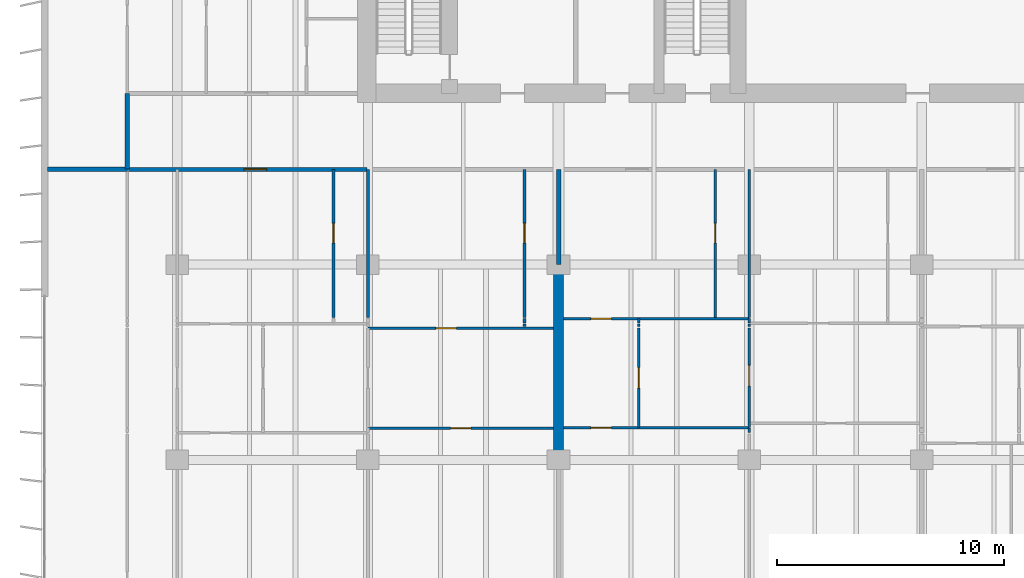
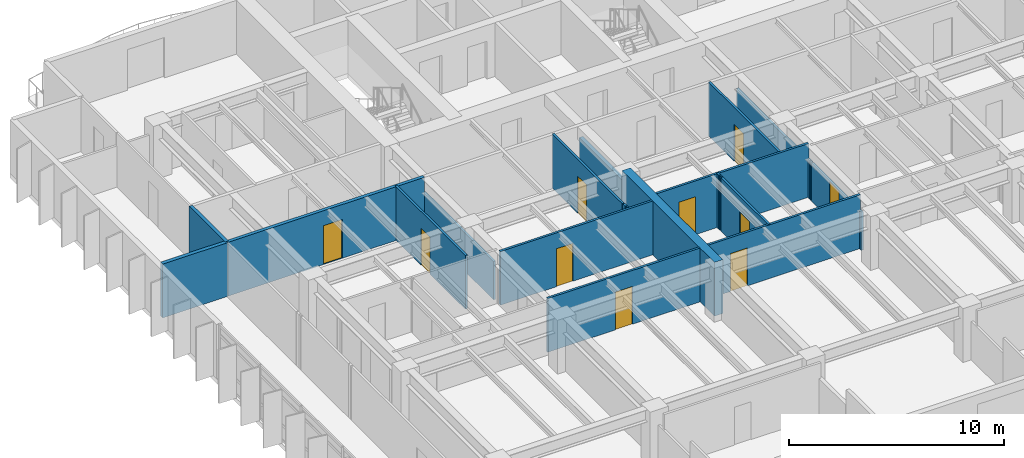
# One storey, part 7 of 19: 23 walls, 10 doors, 10 openings.
"""IFC4 building model written with IfcOpenShell, lengths in metres."""

from ifc_helpers import new_model, si_unit, direction, frame, frame_2d, origin, place, context, subcontext, project, spatial, rectangle, extrude, material, layer, layer_set, type_object, element, fill, save


model = new_model("IFC4")

# Units and contexts
model_context = context("Model", 3, precision=1e-05, world=origin(), true_north=direction((0.0, 1.0)))
body_context = subcontext(model_context, "Body", "Model", "MODEL_VIEW")
ifc_project = project(units=[si_unit("LENGTHUNIT", "METRE"), si_unit("AREAUNIT", "SQUARE_METRE"), si_unit("VOLUMEUNIT", "CUBIC_METRE"), si_unit("PLANEANGLEUNIT", "RADIAN"), si_unit("MASSUNIT", "GRAM", prefix="KILO")], contexts=[model_context])

# Site, building, storey
site_placement = place(None, origin())
site = spatial("IfcSite", under=ifc_project, at=site_placement, CompositionType="ELEMENT")
building_placement = place(site_placement, origin())
building = spatial("IfcBuilding", under=site, at=building_placement, Name="Caelmar Bay Residences", CompositionType="ELEMENT")
storey_placement = place(building_placement, frame((0.0, 0.0, 115.800048828125)))
storey = spatial("IfcBuildingStorey", under=building, at=storey_placement, Name="L31", CompositionType="ELEMENT", Elevation=115.800048828125)

# Walls
ifc_material_1 = material(Name="Concrete f'c 55 MPa (8,000 psi)", Category="concrete")
ifc_layer_1 = layer(ifc_material_1, 0.449951171875)
ifc_layer_set_1 = layer_set([ifc_layer_1], Name="Concrete f'c 55 MPa (8,000 psi)")
wall_type_1 = type_object("IfcWallType", Name="SW-XSLB-450", PredefinedType="SHEAR", material=ifc_layer_set_1)
wall_1_placement = place(storey_placement, frame((26.699951171875, 20.800048828125, 0.0), z_axis=(0.0, 0.0, 1.0), x_axis=(0.0, 1.0, 0.0)))
element("IfcWall", 1, at=wall_1_placement, inside=storey, type_object=wall_type_1, Name="L31 Transverse Cross-Slab Shear Wall W5", PredefinedType="SHEAR", context=body_context, shape_type="SweptSolid", body=[
    extrude(rectangle(XDim=8.599853515625, YDim=0.449951171875, at=frame_2d((4.2998046875, 0.0))), origin(), (0.0, 0.0, 1.0), 3.050048828125),
])
ifc_material_2 = material(Name="Double-stud acoustic fire-rated gypsum partition 180 mm")
ifc_layer_2 = layer(ifc_material_2, 0.179931640625)
ifc_layer_set_2 = layer_set([ifc_layer_2], Name="Double-stud acoustic fire-rated gypsum partition 180 mm")
wall_type_2 = type_object("IfcWallType", Name="W-COR-200", PredefinedType="PARTITIONING", material=ifc_layer_set_2)
wall_2_placement = place(storey_placement, frame((7.699951171875, 33.60498046875, 0.0), z_axis=(0.0, 0.0, 1.0), x_axis=(0.0, 1.0, 0.0)))
element("IfcWall", 2, at=wall_2_placement, inside=storey, type_object=wall_type_2, Name="L31 Partition Wall V007", PredefinedType="PARTITIONING", context=body_context, shape_type="SweptSolid", body=[
    extrude(rectangle(XDim=3.344970703125, YDim=0.179931640625, at=frame_2d((1.67236328125, 0.0))), origin(), (0.0, 0.0, 1.0), 3.050048828125),
])

# Wall, opening, door
wall_3_placement = place(storey_placement, frame((7.705078125, 33.60009765625, 0.0), z_axis=(0.0, 0.0, 1.0), x_axis=(1.0, 0.0, 0.0)))
wall_3 = element("IfcWall", 3, at=wall_3_placement, inside=storey, type_object=wall_type_2, Name="L31 Partition Wall H140", PredefinedType="PARTITIONING", context=body_context, shape_type="SweptSolid", body=[
    extrude(rectangle(XDim=10.544921875, YDim=0.179931640625, at=frame_2d((5.2724609375, 0.0))), origin(), (0.0, 0.0, 1.0), 3.050048828125),
])
opening_1_placement = place(wall_3_placement, frame((5.137451171875, 0.0, 0.0)))
opening_1 = element("IfcOpeningElement", 4, at=opening_1_placement, cuts=wall_3, Name="Opening D-L31-119", PredefinedType="OPENING", context=body_context, shape_type="SweptSolid", body=[
    extrude(rectangle(XDim=1.0, YDim=2.199951171875, at=frame_2d((0.5, 1.10009765625))), frame((0.0, 0.099853515625, 0.0), z_axis=(0.0, -1.0, 0.0), x_axis=(1.0, 0.0, 0.0)), (0.0, 0.0, 1.0), 0.199951171875),
])
ifc_material_3 = material(Name="Fire-rated steel and walnut architectural door assembly", Category="steel")
ifc_layer_3 = layer(ifc_material_3, 0.050048828125)
ifc_layer_set_3 = layer_set([ifc_layer_3], Name="Fire-rated steel and walnut architectural door assembly")
door_type_1 = type_object("IfcDoorType", Name="D-UNIT-1000", OperationType="NOTDEFINED", PredefinedType="DOOR", material=ifc_layer_set_3)
door_1_placement = place(opening_1_placement, origin())
door_1 = element("IfcDoor", 5, at=door_1_placement, inside=storey, type_object=door_type_1, Name="L31 Residence 01 Apartment Hall Door", OperationType="SINGLE_SWING_RIGHT", OverallHeight=2.199951171875, OverallWidth=1.0, PredefinedType="DOOR", context=body_context, shape_type="SweptSolid", body=[
    extrude(rectangle(XDim=1.0, YDim=2.199951171875, at=frame_2d((0.5, 1.10009765625))), frame((0.0, 0.02490234375, 0.0), z_axis=(0.0, -1.0, 0.0), x_axis=(1.0, 0.0, 0.0)), (0.0, 0.0, 1.0), 0.050048828125),
])
fill(opening_1, door_1)

ifc_material_4 = material(Name="Acoustic metal-stud gypsum partition 120 mm")
ifc_layer_4 = layer(ifc_material_4, 0.1201171875)
ifc_layer_set_4 = layer_set([ifc_layer_4], Name="Acoustic metal-stud gypsum partition 120 mm")
wall_type_3 = type_object("IfcWallType", Name="W-PRT-120", PredefinedType="PARTITIONING", material=ifc_layer_set_4)
wall_4_placement = place(storey_placement, frame((16.784912109375, 27.080078125, 0.0), z_axis=(0.0, 0.0, 1.0), x_axis=(0.0, 1.0, 0.0)))
wall_4 = element("IfcWall", 6, at=wall_4_placement, inside=storey, type_object=wall_type_3, Name="L31 Partition Wall V023", PredefinedType="PARTITIONING", context=body_context, shape_type="SweptSolid", body=[
    extrude(rectangle(XDim=6.52001953125, YDim=0.1201171875, at=frame_2d((3.260009765625, 0.0))), origin(), (0.0, 0.0, 1.0), 3.050048828125),
])
opening_2_placement = place(wall_4_placement, frame((3.284912109375, 0.0, 0.0)))
opening_2 = element("IfcOpeningElement", 7, at=opening_2_placement, cuts=wall_4, Name="Opening D-L31-120", PredefinedType="OPENING", context=body_context, shape_type="SweptSolid", body=[
    extrude(rectangle(XDim=0.85009765625, YDim=2.10009765625, at=frame_2d((0.425048828125, 1.050048828125))), frame((0.0, 0.070068359375, 0.0), z_axis=(0.0, -1.0, 0.0), x_axis=(1.0, 0.0, 0.0)), (0.0, 0.0, 1.0), 0.14013671875),
])
ifc_material_5 = material(Name="Solid walnut timber interior door leaf and frame", Category="wood")
ifc_layer_5 = layer(ifc_material_5, 0.050048828125)
ifc_layer_set_5 = layer_set([ifc_layer_5], Name="Solid walnut timber interior door leaf and frame")
door_type_2 = type_object("IfcDoorType", Name="D-BATH-850", OperationType="NOTDEFINED", PredefinedType="DOOR", material=ifc_layer_set_5)
door_2_placement = place(opening_2_placement, origin())
door_2 = element("IfcDoor", 8, at=door_2_placement, inside=storey, type_object=door_type_2, Name="L31 Residence 01 Guest Bathroom Door", OperationType="SINGLE_SWING_LEFT", OverallHeight=2.10009765625, OverallWidth=0.85009765625, PredefinedType="DOOR", context=body_context, shape_type="SweptSolid", body=[
    extrude(rectangle(XDim=0.85009765625, YDim=2.10009765625, at=frame_2d((0.425048828125, 1.050048828125))), frame((0.0, 0.02490234375, 0.0), z_axis=(0.0, -1.0, 0.0), x_axis=(1.0, 0.0, 0.0)), (0.0, 0.0, 1.0), 0.050048828125),
])
fill(opening_2, door_2)

# Walls
wall_5_placement = place(storey_placement, frame((18.300048828125, 27.080078125, 0.0), z_axis=(0.0, 0.0, 1.0), x_axis=(0.0, 1.0, 0.0)))
element("IfcWall", 9, at=wall_5_placement, inside=storey, type_object=wall_type_3, Name="L31 Partition Wall V030", PredefinedType="PARTITIONING", context=body_context, shape_type="SweptSolid", body=[
    extrude(rectangle(XDim=6.52001953125, YDim=0.1201171875, at=frame_2d((3.260009765625, 0.0))), origin(), (0.0, 0.0, 1.0), 2.174072265625),
])
wall_6_placement = place(storey_placement, frame((25.199951171875, 26.679931640625, 0.0), z_axis=(0.0, 0.0, 1.0), x_axis=(0.0, 1.0, 0.0)))
element("IfcWall", 10, at=wall_6_placement, inside=storey, type_object=wall_type_3, Name="L31 Partition Wall V032", PredefinedType="PARTITIONING", context=body_context, shape_type="SweptSolid", body=[
    extrude(rectangle(XDim=0.10009765625, YDim=0.1201171875, at=frame_2d((0.050048828125, 0.0))), origin(), (0.0, 0.0, 1.0), 3.050048828125),
])
wall_7_placement = place(storey_placement, frame((25.199951171875, 26.820068359375, 0.0), z_axis=(0.0, 0.0, 1.0), x_axis=(0.0, 1.0, 0.0)))
element("IfcWall", 11, at=wall_7_placement, inside=storey, type_object=wall_type_3, Name="L31 Partition Wall V033", PredefinedType="PARTITIONING", context=body_context, shape_type="SweptSolid", body=[
    extrude(rectangle(XDim=0.199951171875, YDim=0.1201171875, at=frame_2d((0.10009765625, 0.0))), origin(), (0.0, 0.0, 1.0), 3.050048828125),
])

# Wall, opening, door
wall_8_placement = place(storey_placement, frame((25.199951171875, 27.080078125, 0.0), z_axis=(0.0, 0.0, 1.0), x_axis=(0.0, 1.0, 0.0)))
wall_8 = element("IfcWall", 12, at=wall_8_placement, inside=storey, type_object=wall_type_3, Name="L31 Partition Wall V034", PredefinedType="PARTITIONING", context=body_context, shape_type="SweptSolid", body=[
    extrude(rectangle(XDim=6.52001953125, YDim=0.1201171875, at=frame_2d((3.260009765625, 0.0))), origin(), (0.0, 0.0, 1.0), 3.050048828125),
])
opening_3_placement = place(wall_8_placement, frame((3.284912109375, 0.0, 0.0)))
opening_3 = element("IfcOpeningElement", 13, at=opening_3_placement, cuts=wall_8, Name="Opening D-L31-126", PredefinedType="OPENING", context=body_context, shape_type="SweptSolid", body=[
    extrude(rectangle(XDim=0.85009765625, YDim=2.10009765625, at=frame_2d((0.425048828125, 1.050048828125))), frame((0.0, 0.070068359375, 0.0), z_axis=(0.0, -1.0, 0.0), x_axis=(1.0, 0.0, 0.0)), (0.0, 0.0, 1.0), 0.14013671875),
])
door_3_placement = place(opening_3_placement, origin())
door_3 = element("IfcDoor", 14, at=door_3_placement, inside=storey, type_object=door_type_2, Name="L31 Residence 01 En-Suite Bathroom 1 Door", OperationType="SINGLE_SWING_LEFT", OverallHeight=2.10009765625, OverallWidth=0.85009765625, PredefinedType="DOOR", context=body_context, shape_type="SweptSolid", body=[
    extrude(rectangle(XDim=0.85009765625, YDim=2.10009765625, at=frame_2d((0.425048828125, 1.050048828125))), frame((0.0, 0.02490234375, 0.0), z_axis=(0.0, -1.0, 0.0), x_axis=(1.0, 0.0, 0.0)), (0.0, 0.0, 1.0), 0.050048828125),
])
fill(opening_3, door_3)

wall_9_placement = place(storey_placement, frame((30.22802734375, 22.219970703125, 0.0), z_axis=(0.0, 0.0, 1.0), x_axis=(0.0, 1.0, 0.0)))
wall_9 = element("IfcWall", 15, at=wall_9_placement, inside=storey, type_object=wall_type_3, Name="L31 Partition Wall V041", PredefinedType="PARTITIONING", context=body_context, shape_type="SweptSolid", body=[
    extrude(rectangle(XDim=4.380126953125, YDim=0.1201171875, at=frame_2d((2.18994140625, 0.0))), origin(), (0.0, 0.0, 1.0), 3.050048828125),
])
opening_4_placement = place(wall_9_placement, frame((1.739990234375, 0.0, 0.0)))
opening_4 = element("IfcOpeningElement", 16, at=opening_4_placement, cuts=wall_9, Name="Opening D-L31-133", PredefinedType="OPENING", context=body_context, shape_type="SweptSolid", body=[
    extrude(rectangle(XDim=0.89990234375, YDim=2.14990234375, at=frame_2d((0.449951171875, 1.074951171875))), frame((0.0, 0.070068359375, 0.0), z_axis=(0.0, -1.0, 0.0), x_axis=(1.0, 0.0, 0.0)), (0.0, 0.0, 1.0), 0.14013671875),
])
ifc_layer_6 = layer(ifc_material_5, 0.050048828125)
ifc_layer_set_6 = layer_set([ifc_layer_6], Name="Solid walnut timber interior door leaf and frame")
door_type_3 = type_object("IfcDoorType", Name="D-ROOM-900", OperationType="NOTDEFINED", PredefinedType="DOOR", material=ifc_layer_set_6)
door_4_placement = place(opening_4_placement, origin())
door_4 = element("IfcDoor", 17, at=door_4_placement, inside=storey, type_object=door_type_3, Name="L31 Residence 02 Kitchen Door", OperationType="SINGLE_SWING_RIGHT", OverallHeight=2.14990234375, OverallWidth=0.89990234375, PredefinedType="DOOR", context=body_context, shape_type="SweptSolid", body=[
    extrude(rectangle(XDim=0.89990234375, YDim=2.14990234375, at=frame_2d((0.449951171875, 1.074951171875))), frame((0.0, 0.02490234375, 0.0), z_axis=(0.0, -1.0, 0.0), x_axis=(1.0, 0.0, 0.0)), (0.0, 0.0, 1.0), 0.050048828125),
])
fill(opening_4, door_4)

# Walls
wall_10_placement = place(storey_placement, frame((30.22802734375, 26.679931640625, 0.0), z_axis=(0.0, 0.0, 1.0), x_axis=(0.0, 1.0, 0.0)))
element("IfcWall", 18, at=wall_10_placement, inside=storey, type_object=wall_type_3, Name="L31 Partition Wall V042", PredefinedType="PARTITIONING", context=body_context, shape_type="SweptSolid", body=[
    extrude(rectangle(XDim=0.10009765625, YDim=0.1201171875, at=frame_2d((0.050048828125, 0.0))), origin(), (0.0, 0.0, 1.0), 3.050048828125),
])
wall_11_placement = place(storey_placement, frame((30.22802734375, 26.820068359375, 0.0), z_axis=(0.0, 0.0, 1.0), x_axis=(0.0, 1.0, 0.0)))
element("IfcWall", 19, at=wall_11_placement, inside=storey, type_object=wall_type_3, Name="L31 Partition Wall V043", PredefinedType="PARTITIONING", context=body_context, shape_type="SweptSolid", body=[
    extrude(rectangle(XDim=0.199951171875, YDim=0.1201171875, at=frame_2d((0.10009765625, 0.0))), origin(), (0.0, 0.0, 1.0), 3.050048828125),
])

# Wall, opening, door
wall_12_placement = place(storey_placement, frame((33.60009765625, 27.080078125, 0.0), z_axis=(0.0, 0.0, 1.0), x_axis=(0.0, 1.0, 0.0)))
wall_12 = element("IfcWall", 20, at=wall_12_placement, inside=storey, type_object=wall_type_3, Name="L31 Partition Wall V044", PredefinedType="PARTITIONING", context=body_context, shape_type="SweptSolid", body=[
    extrude(rectangle(XDim=6.52001953125, YDim=0.1201171875, at=frame_2d((3.260009765625, 0.0))), origin(), (0.0, 0.0, 1.0), 3.050048828125),
])
opening_5_placement = place(wall_12_placement, frame((3.284912109375, 0.0, 0.0)))
opening_5 = element("IfcOpeningElement", 21, at=opening_5_placement, cuts=wall_12, Name="Opening D-L31-131", PredefinedType="OPENING", context=body_context, shape_type="SweptSolid", body=[
    extrude(rectangle(XDim=0.85009765625, YDim=2.10009765625, at=frame_2d((0.425048828125, 1.050048828125))), frame((0.0, 0.070068359375, 0.0), z_axis=(0.0, -1.0, 0.0), x_axis=(1.0, 0.0, 0.0)), (0.0, 0.0, 1.0), 0.14013671875),
])
door_5_placement = place(opening_5_placement, origin())
door_5 = element("IfcDoor", 22, at=door_5_placement, inside=storey, type_object=door_type_2, Name="L31 Residence 02 Guest Bathroom Door", OperationType="SINGLE_SWING_RIGHT", OverallHeight=2.10009765625, OverallWidth=0.85009765625, PredefinedType="DOOR", context=body_context, shape_type="SweptSolid", body=[
    extrude(rectangle(XDim=0.85009765625, YDim=2.10009765625, at=frame_2d((0.425048828125, 1.050048828125))), frame((0.0, 0.02490234375, 0.0), z_axis=(0.0, -1.0, 0.0), x_axis=(1.0, 0.0, 0.0)), (0.0, 0.0, 1.0), 0.050048828125),
])
fill(opening_5, door_5)

# Wall
wall_13_placement = place(storey_placement, frame((35.10009765625, 22.0, 0.0), z_axis=(0.0, 0.0, 1.0), x_axis=(0.0, 1.0, 0.0)))
element("IfcWall", 23, at=wall_13_placement, inside=storey, type_object=wall_type_3, Name="L31 Partition Wall V047", PredefinedType="PARTITIONING", context=body_context, shape_type="SweptSolid", body=[
    extrude(rectangle(XDim=0.199951171875, YDim=0.1201171875, at=frame_2d((0.10009765625, 0.0))), origin(), (0.0, 0.0, 1.0), 2.174072265625),
])

# Wall, opening, door
wall_14_placement = place(storey_placement, frame((35.10009765625, 22.219970703125, 0.0), z_axis=(0.0, 0.0, 1.0), x_axis=(0.0, 1.0, 0.0)))
wall_14 = element("IfcWall", 24, at=wall_14_placement, inside=storey, type_object=wall_type_3, Name="L31 Partition Wall V048", PredefinedType="PARTITIONING", context=body_context, shape_type="SweptSolid", body=[
    extrude(rectangle(XDim=4.380126953125, YDim=0.1201171875, at=frame_2d((2.18994140625, 0.0))), origin(), (0.0, 0.0, 1.0), 2.174072265625),
])
opening_6_placement = place(wall_14_placement, frame((1.840087890625, 0.0, 0.0)))
opening_6 = element("IfcOpeningElement", 25, at=opening_6_placement, cuts=wall_14, Name="Opening D-L31-135", PredefinedType="OPENING", context=body_context, shape_type="SweptSolid", body=[
    extrude(rectangle(XDim=0.89990234375, YDim=2.1240234375, at=frame_2d((0.449951171875, 1.06201171875))), frame((0.0, 0.070068359375, 0.0), z_axis=(0.0, -1.0, 0.0), x_axis=(1.0, 0.0, 0.0)), (0.0, 0.0, 1.0), 0.14013671875),
])
door_6_placement = place(opening_6_placement, origin())
door_6 = element("IfcDoor", 26, at=door_6_placement, inside=storey, type_object=door_type_3, Name="L31 Residence 02 Conference Study 1 Door", OperationType="SINGLE_SWING_RIGHT", OverallHeight=2.1240234375, OverallWidth=0.89990234375, PredefinedType="DOOR", context=body_context, shape_type="SweptSolid", body=[
    extrude(rectangle(XDim=0.89990234375, YDim=2.1240234375, at=frame_2d((0.449951171875, 1.06201171875))), frame((0.0, 0.02490234375, 0.0), z_axis=(0.0, -1.0, 0.0), x_axis=(1.0, 0.0, 0.0)), (0.0, 0.0, 1.0), 0.050048828125),
])
fill(opening_6, door_6)

# Walls
wall_15_placement = place(storey_placement, frame((35.10009765625, 26.679931640625, 0.0), z_axis=(0.0, 0.0, 1.0), x_axis=(0.0, 1.0, 0.0)))
element("IfcWall", 27, at=wall_15_placement, inside=storey, type_object=wall_type_3, Name="L31 Partition Wall V049", PredefinedType="PARTITIONING", context=body_context, shape_type="SweptSolid", body=[
    extrude(rectangle(XDim=0.10009765625, YDim=0.1201171875, at=frame_2d((0.050048828125, 0.0))), origin(), (0.0, 0.0, 1.0), 2.174072265625),
])
wall_16_placement = place(storey_placement, frame((35.10009765625, 26.820068359375, 0.0), z_axis=(0.0, 0.0, 1.0), x_axis=(0.0, 1.0, 0.0)))
element("IfcWall", 28, at=wall_16_placement, inside=storey, type_object=wall_type_3, Name="L31 Partition Wall V050", PredefinedType="PARTITIONING", context=body_context, shape_type="SweptSolid", body=[
    extrude(rectangle(XDim=0.199951171875, YDim=0.1201171875, at=frame_2d((0.10009765625, 0.0))), origin(), (0.0, 0.0, 1.0), 2.174072265625),
])
wall_17_placement = place(storey_placement, frame((35.10009765625, 27.080078125, 0.0), z_axis=(0.0, 0.0, 1.0), x_axis=(0.0, 1.0, 0.0)))
element("IfcWall", 29, at=wall_17_placement, inside=storey, type_object=wall_type_3, Name="L31 Partition Wall V051", PredefinedType="PARTITIONING", context=body_context, shape_type="SweptSolid", body=[
    extrude(rectangle(XDim=6.52001953125, YDim=0.1201171875, at=frame_2d((3.260009765625, 0.0))), origin(), (0.0, 0.0, 1.0), 2.174072265625),
])

# Wall, opening, door
wall_18_placement = place(storey_placement, frame((18.300048828125, 22.199951171875, 0.0), z_axis=(0.0, 0.0, 1.0), x_axis=(1.0, 0.0, 0.0)))
wall_18 = element("IfcWall", 30, at=wall_18_placement, inside=storey, type_object=wall_type_3, Name="L31 Partition Wall H129", PredefinedType="PARTITIONING", context=body_context, shape_type="SweptSolid", body=[
    extrude(rectangle(XDim=8.179931640625, YDim=0.1201171875, at=frame_2d((4.08984375, 0.0))), origin(), (0.0, 0.0, 1.0), 3.050048828125),
])
opening_7_placement = place(wall_18_placement, frame((3.639892578125, 0.0, 0.0)))
opening_7 = element("IfcOpeningElement", 31, at=opening_7_placement, cuts=wall_18, Name="Opening D-L31-127", PredefinedType="OPENING", context=body_context, shape_type="SweptSolid", body=[
    extrude(rectangle(XDim=0.89990234375, YDim=2.14990234375, at=frame_2d((0.449951171875, 1.074951171875))), frame((0.0, 0.070068359375, 0.0), z_axis=(0.0, -1.0, 0.0), x_axis=(1.0, 0.0, 0.0)), (0.0, 0.0, 1.0), 0.14013671875),
])
door_7_placement = place(opening_7_placement, origin())
door_7 = element("IfcDoor", 32, at=door_7_placement, inside=storey, type_object=door_type_3, Name="L31 Residence 01 Penthouse Sitting Salon 1 Door", OperationType="SINGLE_SWING_RIGHT", OverallHeight=2.14990234375, OverallWidth=0.89990234375, PredefinedType="DOOR", context=body_context, shape_type="SweptSolid", body=[
    extrude(rectangle(XDim=0.89990234375, YDim=2.14990234375, at=frame_2d((0.449951171875, 1.074951171875))), frame((0.0, 0.02490234375, 0.0), z_axis=(0.0, -1.0, 0.0), x_axis=(1.0, 0.0, 0.0)), (0.0, 0.0, 1.0), 0.050048828125),
])
fill(opening_7, door_7)

wall_19_placement = place(storey_placement, frame((26.919921875, 22.219970703125, 0.0), z_axis=(0.0, 0.0, 1.0), x_axis=(1.0, 0.0, 0.0)))
wall_19 = element("IfcWall", 33, at=wall_19_placement, inside=storey, type_object=wall_type_3, Name="L31 Partition Wall H130", PredefinedType="PARTITIONING", context=body_context, shape_type="SweptSolid", body=[
    extrude(rectangle(XDim=8.18017578125, YDim=0.1201171875, at=frame_2d((4.090087890625, 0.0))), origin(), (0.0, 0.0, 1.0), 3.050048828125),
])
opening_8_placement = place(wall_19_placement, frame((1.2041015625, 0.0, 0.0)))
opening_8 = element("IfcOpeningElement", 34, at=opening_8_placement, cuts=wall_19, Name="Opening D-L31-134", PredefinedType="OPENING", context=body_context, shape_type="SweptSolid", body=[
    extrude(rectangle(XDim=0.89990234375, YDim=2.14990234375, at=frame_2d((0.449951171875, 1.074951171875))), frame((0.0, 0.070068359375, 0.0), z_axis=(0.0, -1.0, 0.0), x_axis=(1.0, 0.0, 0.0)), (0.0, 0.0, 1.0), 0.14013671875),
])
door_8_placement = place(opening_8_placement, origin())
door_8 = element("IfcDoor", 35, at=door_8_placement, inside=storey, type_object=door_type_3, Name="L31 Residence 02 Penthouse Living Salon Door", OperationType="SINGLE_SWING_LEFT", OverallHeight=2.14990234375, OverallWidth=0.89990234375, PredefinedType="DOOR", context=body_context, shape_type="SweptSolid", body=[
    extrude(rectangle(XDim=0.89990234375, YDim=2.14990234375, at=frame_2d((0.449951171875, 1.074951171875))), frame((0.0, 0.02490234375, 0.0), z_axis=(0.0, -1.0, 0.0), x_axis=(1.0, 0.0, 0.0)), (0.0, 0.0, 1.0), 0.050048828125),
])
fill(opening_8, door_8)

wall_20_placement = place(storey_placement, frame((18.300048828125, 26.60009765625, 0.0), z_axis=(0.0, 0.0, 1.0), x_axis=(1.0, 0.0, 0.0)))
wall_20 = element("IfcWall", 36, at=wall_20_placement, inside=storey, type_object=wall_type_3, Name="L31 Partition Wall H132", PredefinedType="PARTITIONING", context=body_context, shape_type="SweptSolid", body=[
    extrude(rectangle(XDim=8.179931640625, YDim=0.1201171875, at=frame_2d((4.08984375, 0.0))), origin(), (0.0, 0.0, 1.0), 3.050048828125),
])
opening_9_placement = place(wall_20_placement, frame((3.0, 0.0, 0.0)))
opening_9 = element("IfcOpeningElement", 37, at=opening_9_placement, cuts=wall_20, Name="Opening D-L31-125", PredefinedType="OPENING", context=body_context, shape_type="SweptSolid", body=[
    extrude(rectangle(XDim=0.89990234375, YDim=2.14990234375, at=frame_2d((0.449951171875, 1.074951171875))), frame((0.0, 0.070068359375, 0.0), z_axis=(0.0, -1.0, 0.0), x_axis=(1.0, 0.0, 0.0)), (0.0, 0.0, 1.0), 0.14013671875),
])
door_9_placement = place(opening_9_placement, origin())
door_9 = element("IfcDoor", 38, at=door_9_placement, inside=storey, type_object=door_type_3, Name="L31 Residence 01 Private Meeting Room 1 Door", OperationType="SINGLE_SWING_RIGHT", OverallHeight=2.14990234375, OverallWidth=0.89990234375, PredefinedType="DOOR", context=body_context, shape_type="SweptSolid", body=[
    extrude(rectangle(XDim=0.89990234375, YDim=2.14990234375, at=frame_2d((0.449951171875, 1.074951171875))), frame((0.0, 0.02490234375, 0.0), z_axis=(0.0, -1.0, 0.0), x_axis=(1.0, 0.0, 0.0)), (0.0, 0.0, 1.0), 0.050048828125),
])
fill(opening_9, door_9)

wall_21_placement = place(storey_placement, frame((26.919921875, 27.02001953125, 0.0), z_axis=(0.0, 0.0, 1.0), x_axis=(1.0, 0.0, 0.0)))
wall_21 = element("IfcWall", 39, at=wall_21_placement, inside=storey, type_object=wall_type_3, Name="L31 Partition Wall H137", PredefinedType="PARTITIONING", context=body_context, shape_type="SweptSolid", body=[
    extrude(rectangle(XDim=8.175048828125, YDim=0.1201171875, at=frame_2d((4.08740234375, 0.0))), origin(), (0.0, 0.0, 1.0), 3.050048828125),
])
opening_10_placement = place(wall_21_placement, frame((1.2041015625, 0.0, 0.0)))
opening_10 = element("IfcOpeningElement", 40, at=opening_10_placement, cuts=wall_21, Name="Opening D-L31-132", PredefinedType="OPENING", context=body_context, shape_type="SweptSolid", body=[
    extrude(rectangle(XDim=0.89990234375, YDim=2.14990234375, at=frame_2d((0.449951171875, 1.074951171875))), frame((0.0, 0.070068359375, 0.0), z_axis=(0.0, -1.0, 0.0), x_axis=(1.0, 0.0, 0.0)), (0.0, 0.0, 1.0), 0.14013671875),
])
door_10_placement = place(opening_10_placement, origin())
door_10 = element("IfcDoor", 41, at=door_10_placement, inside=storey, type_object=door_type_3, Name="L31 Residence 02 Dining Room Door", OperationType="SINGLE_SWING_LEFT", OverallHeight=2.14990234375, OverallWidth=0.89990234375, PredefinedType="DOOR", context=body_context, shape_type="SweptSolid", body=[
    extrude(rectangle(XDim=0.89990234375, YDim=2.14990234375, at=frame_2d((0.449951171875, 1.074951171875))), frame((0.0, 0.02490234375, 0.0), z_axis=(0.0, -1.0, 0.0), x_axis=(1.0, 0.0, 0.0)), (0.0, 0.0, 1.0), 0.050048828125),
])
fill(opening_10, door_10)

# Walls
ifc_material_6 = material(Name="Acoustic twin-stud fire-rated inter-tenancy partition 200 mm")
ifc_layer_7 = layer(ifc_material_6, 0.199951171875)
ifc_layer_set_7 = layer_set([ifc_layer_7], Name="Acoustic twin-stud fire-rated inter-tenancy partition 200 mm")
wall_type_4 = type_object("IfcWallType", Name="W-PTY-200", PredefinedType="PARTITIONING", material=ifc_layer_set_7)
wall_22_placement = place(storey_placement, frame((26.699951171875, 29.405029296875, 0.0), z_axis=(0.0, 0.0, 1.0), x_axis=(0.0, 1.0, 0.0)))
element("IfcWall", 42, at=wall_22_placement, inside=storey, type_object=wall_type_4, Name="L31 Partition Wall V038", PredefinedType="PARTITIONING", context=body_context, shape_type="SweptSolid", body=[
    extrude(rectangle(XDim=4.195068359375, YDim=0.199951171875, at=frame_2d((2.09765625, 0.0))), origin(), (0.0, 0.0, 1.0), 2.3349609375),
])
wall_23_placement = place(storey_placement, frame((4.195068359375, 33.60009765625, 0.0), z_axis=(0.0, 0.0, 1.0), x_axis=(1.0, 0.0, 0.0)))
element("IfcWall", 43, at=wall_23_placement, inside=storey, type_object=wall_type_4, Name="L31 Partition Wall H139", PredefinedType="PARTITIONING", context=body_context, shape_type="SweptSolid", body=[
    extrude(rectangle(XDim=3.5048828125, YDim=0.199951171875, at=frame_2d((1.75244140625, 0.0))), origin(), (0.0, 0.0, 1.0), 3.050048828125),
])

save(model, "model.ifc")
